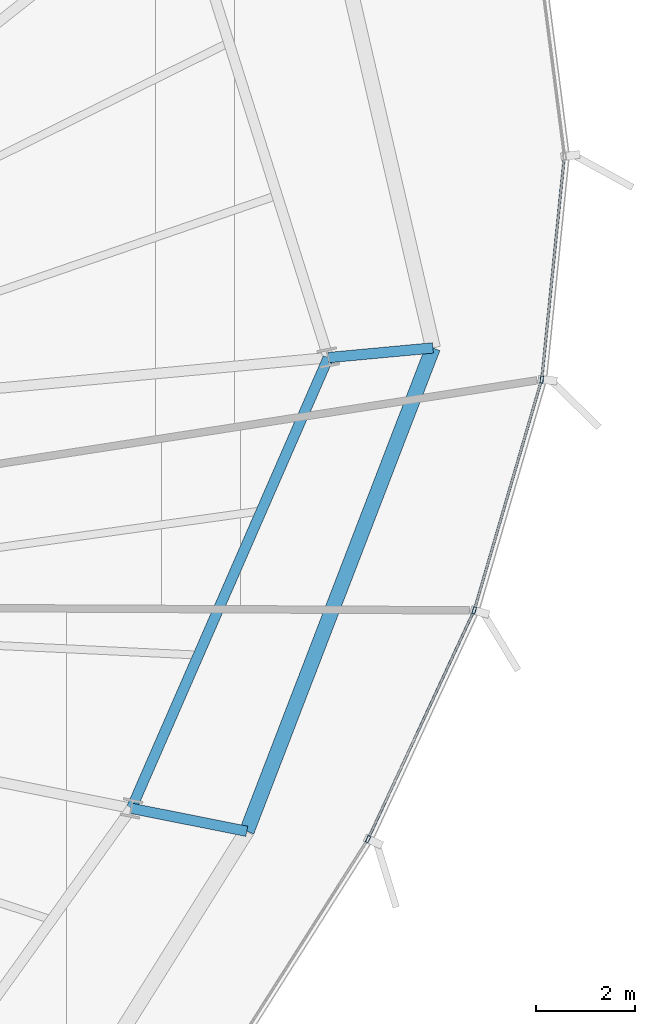
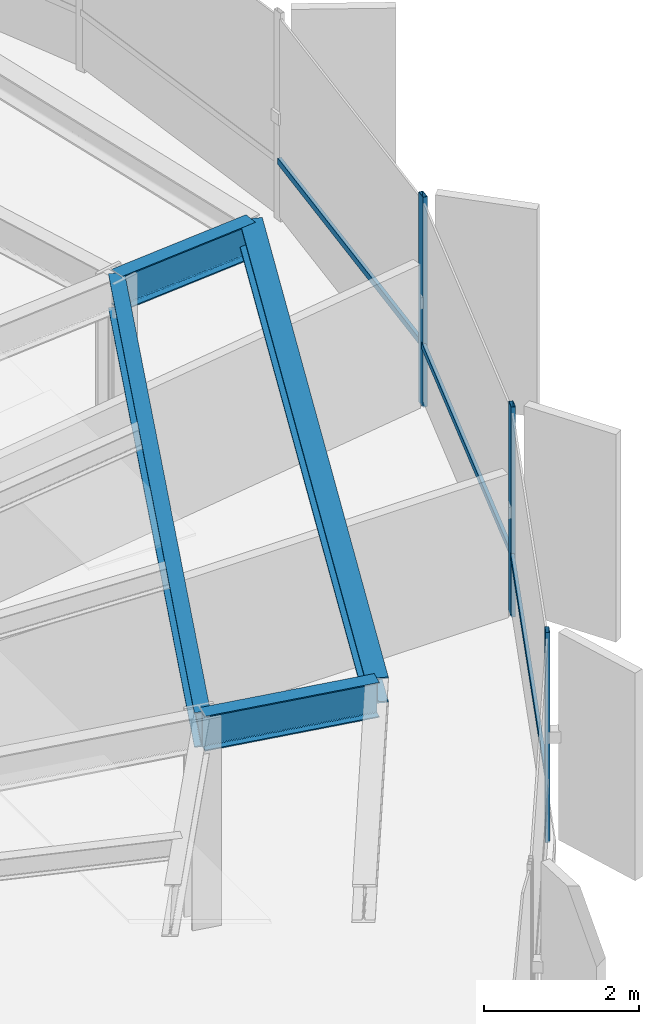
# One storey, part 16 of 32: 6 members, 4 beams, 1 element without a shape of its own.
"""IFC4 building model written with IfcOpenShell, lengths in metres."""

import ifcopenshell
import ifcopenshell.guid

model = None  # the IFC model being written
_history = None  # IfcOwnerHistory: only IFC2X3 demands one
_inside = {}  # id of a spatial element -> (the spatial element, [elements in it])
_under = {}  # id of a project, library or spatial element -> (it, [spatial elements below it])
_declared = {}  # id of a project -> (the project, [libraries it declares])
_typed = {}  # id of a type object -> (the type object, [elements of that type])
_made_of = {}  # id of a material, layer set ... -> (it, [elements and type objects made of it])


def new_model(schema):
    """Start an empty IFC model of exactly this schema.

    Asked for "IFC4X3", IfcOpenShell would pick the latest addendum, in which some entities
    have other attributes; the version numbers below select the first issue.
    IFC2X3 requires an IfcOwnerHistory on every rooted entity: one is made here for all.
    """
    global model, _history
    if schema == "IFC4X3":
        model = ifcopenshell.file(schema_version=(4, 3, 0, 0))
    else:
        model = ifcopenshell.file(schema=schema)
    _inside.clear()
    _under.clear()
    _declared.clear()
    _typed.clear()
    _made_of.clear()
    _history = None
    if model.schema == "IFC2X3":
        org = make("IfcOrganization", Name="unknown")
        user = make(
            "IfcPersonAndOrganization",
            ThePerson=make("IfcPerson", FamilyName="unknown"),
            TheOrganization=org,
        )
        app = make(
            "IfcApplication",
            ApplicationDeveloper=org,
            Version="unknown",
            ApplicationFullName="unknown",
            ApplicationIdentifier="unknown",
        )
        _history = make(
            "IfcOwnerHistory",
            OwningUser=user,
            OwningApplication=app,
            ChangeAction="ADDED",
            CreationDate=0,
        )
    return model


def make(cls, **values):
    """One entity of the class cls with the attributes given. An attribute that is None is left unset."""
    return model.create_entity(
        cls, **{name: value for name, value in values.items() if value is not None}
    )


def rooted(cls, **values):
    """An entity with a GlobalId (a new one), such as an element, a storey or a relation."""
    return make(cls, GlobalId=ifcopenshell.guid.new(), OwnerHistory=_history, **values)


def si_unit(unit_type, name, prefix=None):
    """IfcSIUnit, for example si_unit("LENGTHUNIT", "METRE", prefix="MILLI")."""
    return make("IfcSIUnit", UnitType=unit_type, Prefix=prefix, Name=name)


def assignment(units):
    """IfcUnitAssignment: the units of a project."""
    return None if units is None else make("IfcUnitAssignment", Units=units)


def point(xyz):
    """IfcCartesianPoint."""
    return None if xyz is None else make("IfcCartesianPoint", Coordinates=xyz)


def direction(xyz):
    """IfcDirection."""
    return None if xyz is None else make("IfcDirection", DirectionRatios=xyz)


def frame(location, z_axis=None, x_axis=None):
    """IfcAxis2Placement3D, a coordinate frame: its origin and axes. An axis left out is left unset."""
    return make(
        "IfcAxis2Placement3D",
        Location=point(location),
        Axis=direction(z_axis),
        RefDirection=direction(x_axis),
    )


def frame_2d(location, x_axis=None):
    """IfcAxis2Placement2D, a coordinate frame in the plane: its origin and x axis."""
    return make(
        "IfcAxis2Placement2D", Location=point(location), RefDirection=direction(x_axis)
    )


def origin():
    """The frame at (0, 0, 0) with its axes left unset."""
    return frame((0.0, 0.0, 0.0))


def origin_2d():
    """The frame at (0, 0) in the plane with its x axis left unset."""
    return frame_2d((0.0, 0.0))


def place(relative_to, where):
    """IfcLocalPlacement: puts the frame where relative to a parent placement (None: the world)."""
    return make(
        "IfcLocalPlacement", PlacementRelTo=relative_to, RelativePlacement=where
    )


def context(
    kind, dimensions, precision=None, world=None, true_north=None, identifier=None
):
    """IfcGeometricRepresentationContext, for example the 3D "Model" context."""
    return make(
        "IfcGeometricRepresentationContext",
        ContextIdentifier=identifier,
        ContextType=kind,
        CoordinateSpaceDimension=dimensions,
        Precision=precision,
        WorldCoordinateSystem=world,
        TrueNorth=true_north,
    )


def subcontext(parent, identifier, kind, view, scale=None):
    """IfcGeometricRepresentationSubContext, for example "Body" below "Model"."""
    return make(
        "IfcGeometricRepresentationSubContext",
        ContextIdentifier=identifier,
        ContextType=kind,
        ParentContext=parent,
        TargetScale=scale,
        TargetView=view,
    )


def project(units=None, contexts=None):
    """IfcProject with its units and contexts."""
    return rooted(
        "IfcProject",
        Name="project",
        RepresentationContexts=contexts,
        UnitsInContext=assignment(units),
    )


def spatial(cls, under=None, at=None, **own):
    """A site, building, storey or space (cls), placed at a placement, below another one or the project."""
    s = rooted(cls, ObjectPlacement=at, **own)
    if under is not None:
        _under.setdefault(under.id(), (under, []))[1].append(s)
    return s


def profile(cls, at=None, kind="AREA", **sizes):
    """A parametric profile (cls). Its sizes go by their IFC names, for example OverallWidth=200.0."""
    return make(cls, ProfileType=kind, Position=at, **sizes)


def hollow_rectangle(**sizes):
    """IfcRectangleHollowProfileDef."""
    return profile("IfcRectangleHollowProfileDef", **sizes)


def i_section(**sizes):
    """IfcIShapeProfileDef."""
    return profile("IfcIShapeProfileDef", **sizes)


def extrude(swept, where, along, depth):
    """IfcExtrudedAreaSolid: the profile swept, set in the frame where, extruded along a direction by depth."""
    return make(
        "IfcExtrudedAreaSolid",
        SweptArea=swept,
        Position=where,
        ExtrudedDirection=direction(along),
        Depth=depth,
    )


def shape(context_of_items, identifier, shape_type, items):
    """IfcShapeRepresentation: the items that make up one representation, for example the "Body"."""
    return make(
        "IfcShapeRepresentation",
        ContextOfItems=context_of_items,
        RepresentationIdentifier=identifier,
        RepresentationType=shape_type,
        Items=items,
    )


def source(mapping_origin, context_of_items, identifier, shape_type, items):
    """IfcRepresentationMap: a shape defined once, which mapped items show again and again."""
    return make(
        "IfcRepresentationMap",
        MappingOrigin=mapping_origin,
        MappedRepresentation=shape(context_of_items, identifier, shape_type, items),
    )


def transform(
    local_origin,
    x_axis=None,
    y_axis=None,
    z_axis=None,
    scale=None,
    scale2=None,
    scale3=None,
    uniform=True,
):
    """IfcCartesianTransformationOperator3D, or its non-uniform kind. x_axis, y_axis, z_axis: its Axis1, 2, 3."""
    if uniform:
        return make(
            "IfcCartesianTransformationOperator3D",
            Axis1=direction(x_axis),
            Axis2=direction(y_axis),
            LocalOrigin=point(local_origin),
            Scale=scale,
            Axis3=direction(z_axis),
        )
    return make(
        "IfcCartesianTransformationOperator3DnonUniform",
        Axis1=direction(x_axis),
        Axis2=direction(y_axis),
        LocalOrigin=point(local_origin),
        Scale=scale,
        Axis3=direction(z_axis),
        Scale2=scale2,
        Scale3=scale3,
    )


def mapped(mapping_source, mapping_target):
    """IfcMappedItem: shows the shape of a source again, moved by a transform."""
    return make(
        "IfcMappedItem", MappingSource=mapping_source, MappingTarget=mapping_target
    )


def material(Name=None, Category=None):
    """IfcMaterial."""
    return make("IfcMaterial", Name=Name, Category=Category)


def layer(
    of_material, thickness, ventilated=None, Name=None, Category=None, Priority=None
):
    """IfcMaterialLayer: one layer of a wall or slab, of a material (None: an air gap)."""
    return make(
        "IfcMaterialLayer",
        Material=of_material,
        LayerThickness=thickness,
        IsVentilated=ventilated,
        Name=Name,
        Category=Category,
        Priority=Priority,
    )


def layer_set(layers, Name=None):
    """IfcMaterialLayerSet."""
    return make("IfcMaterialLayerSet", MaterialLayers=layers, LayerSetName=Name)


def material_profile(
    of_material, cross_section, Name=None, Category=None, Priority=None
):
    """IfcMaterialProfile: a cross section and its material."""
    return make(
        "IfcMaterialProfile",
        Name=Name,
        Material=of_material,
        Profile=cross_section,
        Priority=Priority,
        Category=Category,
    )


def profile_set(profiles, Name=None, composite=None):
    """IfcMaterialProfileSet."""
    return make(
        "IfcMaterialProfileSet",
        Name=Name,
        MaterialProfiles=profiles,
        CompositeProfile=composite,
    )


def made_of(thing, what):
    """Note that an element or type object is made of a material, layer set ...; save() writes the relation."""
    if what is not None:
        _made_of.setdefault(what.id(), (what, []))[1].append(thing)
    return thing


def type_object(cls, material=None, **own):
    """A type object (cls), such as IfcWallType, which elements share."""
    return made_of(rooted(cls, **own), material)


def element(
    cls,
    number,
    at=None,
    inside=None,
    cuts=None,
    type_object=None,
    material=None,
    context=None,
    identifier="Body",
    shape_type=None,
    held_by="IfcProductDefinitionShape",
    body=None,
    shapes=None,
    **own,
):
    """One element of the class cls, such as IfcWall. Its Tag is "e" and its number.

    at: its placement. inside: the storey or other place that contains it. cuts: it is an
    opening in that element (IfcRelVoidsElement). A single representation is given by context,
    identifier, shape_type and body (its items); several are given by shapes. held_by: the class
    of the entity that holds the representations. save() writes the other relations.
    """
    e = rooted(cls, Tag="e%d" % number, ObjectPlacement=at, **own)
    if body is not None:
        shapes = [shape(context, identifier, shape_type, body)]
    if shapes is not None:
        e.Representation = make(held_by, Representations=shapes)
    if inside is not None:
        _inside.setdefault(inside.id(), (inside, []))[1].append(e)
    if cuts is not None:
        rooted(
            "IfcRelVoidsElement", RelatingBuildingElement=cuts, RelatedOpeningElement=e
        )
    if type_object is not None:
        _typed.setdefault(type_object.id(), (type_object, []))[1].append(e)
    return made_of(e, material)


def aggregate(whole, parts):
    """IfcRelAggregates: a whole, such as a stair, and the parts it consists of."""
    return rooted("IfcRelAggregates", RelatingObject=whole, RelatedObjects=parts)


def save(model, path):
    """Write the relations noted so far, then the file.

    IfcRelAggregates (storeys below a building ...), IfcRelContainedInSpatialStructure (elements
    in a storey), IfcRelDefinesByType, IfcRelAssociatesMaterial and IfcRelDeclares: one each for
    every whole, place, type object, material and project.
    """
    for whole, parts in _under.values():
        aggregate(whole, parts)
    for where, things in _inside.values():
        rooted(
            "IfcRelContainedInSpatialStructure",
            RelatedElements=things,
            RelatingStructure=where,
        )
    for kind, things in _typed.values():
        rooted("IfcRelDefinesByType", RelatedObjects=things, RelatingType=kind)
    for what, things in _made_of.values():
        rooted("IfcRelAssociatesMaterial", RelatedObjects=things, RelatingMaterial=what)
    for by, libraries in _declared.values():
        rooted("IfcRelDeclares", RelatingContext=by, RelatedDefinitions=libraries)
    model.write(path)


model = new_model("IFC4")

# Units and contexts
model_context = context("Model", 3, precision=1e-05, world=origin(), true_north=direction((0.0, 1.0)))
body_context = subcontext(model_context, "Body", "Model", "MODEL_VIEW")
ifc_project = project(units=[si_unit("LENGTHUNIT", "METRE"), si_unit("AREAUNIT", "SQUARE_METRE"), si_unit("VOLUMEUNIT", "CUBIC_METRE"), si_unit("PLANEANGLEUNIT", "RADIAN"), si_unit("MASSUNIT", "GRAM", prefix="KILO"), si_unit("THERMODYNAMICTEMPERATUREUNIT", "KELVIN")], contexts=[model_context])

# Site, building, storey
site_placement = place(None, origin())
site = spatial("IfcSite", under=ifc_project, at=site_placement, CompositionType="ELEMENT")
building_placement = place(site_placement, origin())
building = spatial("IfcBuilding", under=site, at=building_placement, Name="Kethvar Cultural Tower", CompositionType="ELEMENT")
storey_placement = place(building_placement, frame((0.0, 0.0, 160.75)))
storey = spatial("IfcBuildingStorey", under=building, at=storey_placement, Name="L41", CompositionType="ELEMENT", Elevation=160.75)

# Beams
ifc_material_1 = material(Name="Steel S355J2", Category="steel")
ifc_material_profile_1 = material_profile(ifc_material_1, i_section(OverallWidth=0.2099609375, OverallDepth=0.550048828125, WebThickness=0.010986328125, FlangeThickness=0.01708984375, FilletRadius=0.02392578125, at=origin_2d()), Name="Steel S355J2 — IPE550")
ifc_profile_set_1 = profile_set([ifc_material_profile_1], Name="Steel S355J2 — IPE550")
beam_type_1 = type_object("IfcBeamType", Name="BM-IPE550", PredefinedType="BEAM", material=ifc_profile_set_1)
shared_shape_1 = source(origin(), body_context, "Body", "SweptSolid", [
    extrude(i_section(OverallWidth=0.2099609375, OverallDepth=0.550048828125, WebThickness=0.010986328125, FlangeThickness=0.01708984375, FilletRadius=0.02392578125, at=origin_2d()), origin(), (0.0, 0.0, 1.0), 9.90625),
])
beam_1_placement = place(storey_placement, frame((67.638671875, 23.65478515625, 3.02294921875), z_axis=(0.400138679026, 0.916454602011, 0.0), x_axis=(-0.916454602011, 0.400138679026, 0.0)))
element("IfcBeam", 1, at=beam_1_placement, inside=storey, type_object=beam_type_1, Name="L41 Column Ring Tie Beam CR-16", PredefinedType="BEAM", context=body_context, shape_type="MappedRepresentation", body=[
    mapped(shared_shape_1, transform((0.0, 0.0, 0.0), scale=1.0)),
])
shared_shape_2 = source(origin(), body_context, "Body", "SweptSolid", [
    extrude(i_section(OverallWidth=0.2099609375, OverallDepth=0.550048828125, WebThickness=0.010986328125, FlangeThickness=0.01708984375, FilletRadius=0.02392578125, at=origin_2d()), origin(), (0.0, 0.0, 1.0), 2.1171875),
])
beam_2_placement = place(storey_placement, frame((71.6025390625, 32.7333984375, 3.02294921875), z_axis=(0.995725172582, 0.09236547345, 0.0), x_axis=(-0.09236547345, 0.995725172582, 0.0)))
element("IfcBeam", 2, at=beam_2_placement, inside=storey, type_object=beam_type_1, Name="L41 Perimeter Cantilever Beam RC-01", PredefinedType="BEAM", context=body_context, shape_type="MappedRepresentation", body=[
    mapped(shared_shape_2, transform((0.0, 0.0, 0.0), scale=1.0)),
])
shared_shape_3 = source(origin(), body_context, "Body", "SweptSolid", [
    extrude(i_section(OverallWidth=0.2099609375, OverallDepth=0.550048828125, WebThickness=0.010986328125, FlangeThickness=0.01708984375, FilletRadius=0.02392578125, at=origin_2d()), origin(), (0.0, 0.0, 1.0), 2.368408203125),
])
beam_3_placement = place(storey_placement, frame((67.638671875, 23.65478515625, 3.02294921875), z_axis=(0.980798121637, -0.195025753667, 0.0), x_axis=(0.195025753667, 0.980798121637, 0.0)))
element("IfcBeam", 3, at=beam_3_placement, inside=storey, type_object=beam_type_1, Name="L41 Perimeter Cantilever Beam RC-16", PredefinedType="BEAM", context=body_context, shape_type="MappedRepresentation", body=[
    mapped(shared_shape_3, transform((0.0, 0.0, 0.0), scale=1.0)),
])
ifc_material_profile_2 = material_profile(ifc_material_1, i_section(OverallWidth=0.300048828125, OverallDepth=0.39990234375, WebThickness=0.013427734375, FlangeThickness=0.02392578125, FilletRadius=0.027099609375, at=origin_2d()), Name="Steel S355J2 — HEB400")
ifc_profile_set_2 = profile_set([ifc_material_profile_2], Name="Steel S355J2 — HEB400")
beam_type_2 = type_object("IfcBeamType", Name="BM-SP400", PredefinedType="SPANDREL", material=ifc_profile_set_2)
shared_shape_4 = source(origin(), body_context, "Body", "SweptSolid", [
    extrude(i_section(OverallWidth=0.300048828125, OverallDepth=0.39990234375, WebThickness=0.013427734375, FlangeThickness=0.02392578125, FilletRadius=0.027099609375, at=origin_2d()), origin(), (0.0, 0.0, 1.0), 10.432861328125),
])
beam_4_placement = place(storey_placement, frame((69.961669921875, 23.19287109375, 3.097900390625), z_axis=(0.359344419667, 0.933205008588, 0.0), x_axis=(-0.933205008588, 0.359344419667, 0.0)))
element("IfcBeam", 4, at=beam_4_placement, inside=storey, type_object=beam_type_2, Name="L41 Perimeter Spandrel Beam SP-16", PredefinedType="SPANDREL", context=body_context, shape_type="MappedRepresentation", body=[
    mapped(shared_shape_4, transform((0.0, 0.0, 0.0), scale=1.0)),
])

# Curtain wall, members
ifc_material_2 = material(Name="Aluminium 6063-T6", Category="aluminium")
ifc_layer = layer(ifc_material_2, 0.179931640625, Name="Aluminium 6063-T6", Category="aluminium")
ifc_layer_set = layer_set([ifc_layer], Name="Aluminium 6063-T6 (180 mm)")
curtain_wall_type = type_object("IfcCurtainWallType", Name="CW-SYS-04-Z34", PredefinedType="NOTDEFINED", material=ifc_layer_set)
curtain_wall_placement = place(storey_placement, origin())
curtain_wall = element("IfcCurtainWall", 5, at=curtain_wall_placement, inside=storey, type_object=curtain_wall_type, Name="L41 Curtain Wall Run 06", PredefinedType="NOTDEFINED")
ifc_material_profile_3 = material_profile(ifc_material_2, hollow_rectangle(XDim=0.06005859375, YDim=0.139892578125, WallThickness=0.0048828125, at=origin_2d()), Name="Aluminium 6063-T6 — RHS140x60x5")
ifc_profile_set_3 = profile_set([ifc_material_profile_3], Name="Aluminium 6063-T6 — RHS140x60x5")
member_type_1 = type_object("IfcMemberType", Name="CW-SYS-04-Z34-MUL", PredefinedType="MULLION", material=ifc_profile_set_3)
shared_shape_5 = source(origin(), body_context, "Body", "SweptSolid", [
    extrude(hollow_rectangle(XDim=0.06005859375, YDim=0.139892578125, WallThickness=0.0048828125, at=origin_2d()), origin(), (0.0, 0.0, 1.0), 3.300048828125),
])
member_1_placement = place(storey_placement, frame((72.403076171875, 23.035888671875, 0.0), z_axis=(0.0, 0.0, 1.0), x_axis=(-0.90714686567, 0.420814168138, 0.0)))
member_1 = element("IfcMember", 6, at=member_1_placement, type_object=member_type_1, Name="CW-L41-R06 Mullion 2", PredefinedType="MULLION", context=body_context, shape_type="MappedRepresentation", body=[
    mapped(shared_shape_5, transform((0.0, 0.0, 0.0), scale=1.0)),
])
member_2_placement = place(storey_placement, frame((74.54150390625, 27.642578125, 0.0), z_axis=(0.0, 0.0, 1.0), x_axis=(-0.959868948525, 0.280448928785, 0.0)))
member_2 = element("IfcMember", 7, at=member_2_placement, type_object=member_type_1, Name="CW-L41-R06 Mullion 3", PredefinedType="MULLION", context=body_context, shape_type="MappedRepresentation", body=[
    mapped(shared_shape_5, transform((0.0, 0.0, 0.0), scale=1.0)),
])
member_3_placement = place(storey_placement, frame((75.901611328125, 32.29150390625, 0.0), z_axis=(0.0, 0.0, 1.0), x_axis=(-0.99492295191, 0.100639553673, 0.0)))
member_3 = element("IfcMember", 8, at=member_3_placement, type_object=member_type_1, Name="CW-L41-R06 Mullion 4", PredefinedType="MULLION", context=body_context, shape_type="MappedRepresentation", body=[
    mapped(shared_shape_5, transform((0.0, 0.0, 0.0), scale=1.0)),
])
ifc_material_profile_4 = material_profile(ifc_material_2, hollow_rectangle(XDim=0.050048828125, YDim=0.10009765625, WallThickness=0.00390625, at=origin_2d()), Name="Aluminium 6063-T6 — RHS100x50x4")
ifc_profile_set_4 = profile_set([ifc_material_profile_4], Name="Aluminium 6063-T6 — RHS100x50x4")
member_type_2 = type_object("IfcMemberType", Name="CW-SYS-04-Z34-TRN", PredefinedType="USERDEFINED", material=ifc_profile_set_4)
shared_shape_6 = source(origin(), body_context, "Body", "SweptSolid", [
    extrude(hollow_rectangle(XDim=0.050048828125, YDim=0.10009765625, WallThickness=0.00390625, at=origin_2d()), origin(), (0.0, 0.0, 1.0), 4.45703125),
])
member_4_placement = place(storey_placement, frame((75.906005859375, 32.33447265625, 0.949951171875), z_axis=(0.100626323891, 0.994924290054, 0.0), x_axis=(-0.994924290054, 0.100626323891, 0.0)))
member_4 = element("IfcMember", 9, at=member_4_placement, type_object=member_type_2, Name="CW-L41-R06 Transom 4", ObjectType="TRANSOM", PredefinedType="USERDEFINED", context=body_context, shape_type="MappedRepresentation", body=[
    mapped(shared_shape_6, transform((0.0, 0.0, 0.0), scale=1.0)),
])
shared_shape_7 = source(origin(), body_context, "Body", "SweptSolid", [
    extrude(hollow_rectangle(XDim=0.050048828125, YDim=0.10009765625, WallThickness=0.00390625, at=origin_2d()), origin(), (0.0, 0.0, 1.0), 5.0087890625),
])
member_5_placement = place(storey_placement, frame((72.42138671875, 23.0751953125, 0.949951171875), z_axis=(0.42079764896, 0.907154528529, 0.0), x_axis=(-0.907154528529, 0.42079764896, 0.0)))
member_5 = element("IfcMember", 10, at=member_5_placement, type_object=member_type_2, Name="CW-L41-R06 Transom 2", ObjectType="TRANSOM", PredefinedType="USERDEFINED", context=body_context, shape_type="MappedRepresentation", body=[
    mapped(shared_shape_7, transform((0.0, 0.0, 0.0), scale=1.0)),
])
shared_shape_8 = source(origin(), body_context, "Body", "SweptSolid", [
    extrude(hollow_rectangle(XDim=0.050048828125, YDim=0.10009765625, WallThickness=0.00390625, at=origin_2d()), origin(), (0.0, 0.0, 1.0), 4.77734375),
])
member_6_placement = place(storey_placement, frame((74.5537109375, 27.68408203125, 0.949951171875), z_axis=(0.280406188294, 0.959881435161, 0.0), x_axis=(-0.959881435161, 0.280406188294, 0.0)))
member_6 = element("IfcMember", 11, at=member_6_placement, type_object=member_type_2, Name="CW-L41-R06 Transom 3", ObjectType="TRANSOM", PredefinedType="USERDEFINED", context=body_context, shape_type="MappedRepresentation", body=[
    mapped(shared_shape_8, transform((0.0, 0.0, 0.0), scale=1.0)),
])
aggregate(curtain_wall, [member_1, member_2, member_3, member_5, member_6, member_4])

save(model, "model.ifc")
